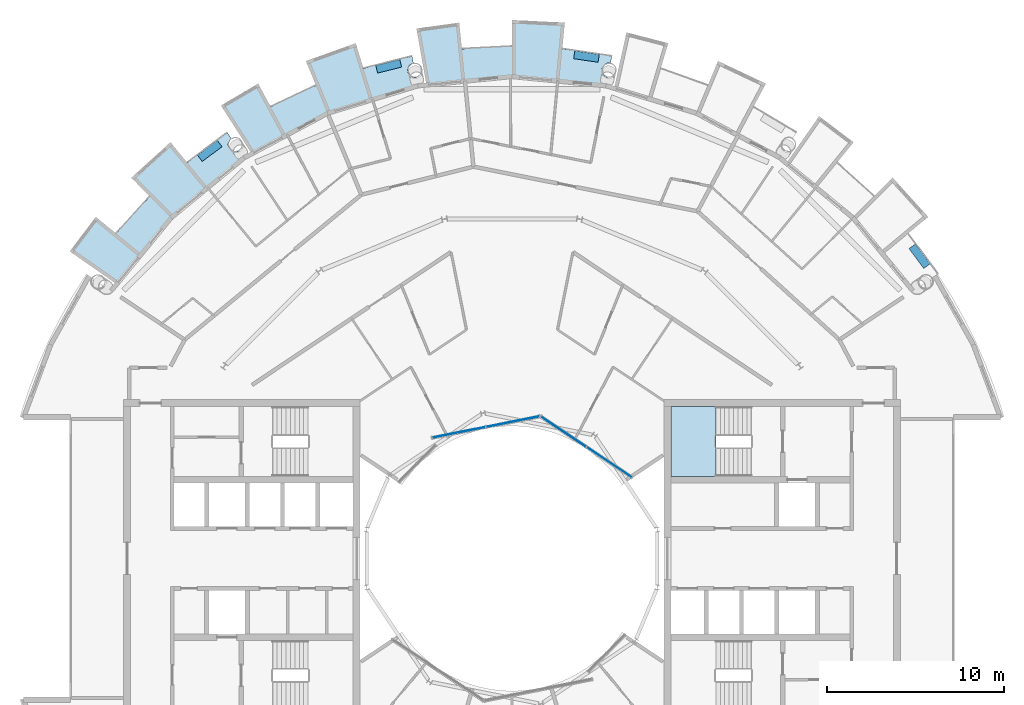
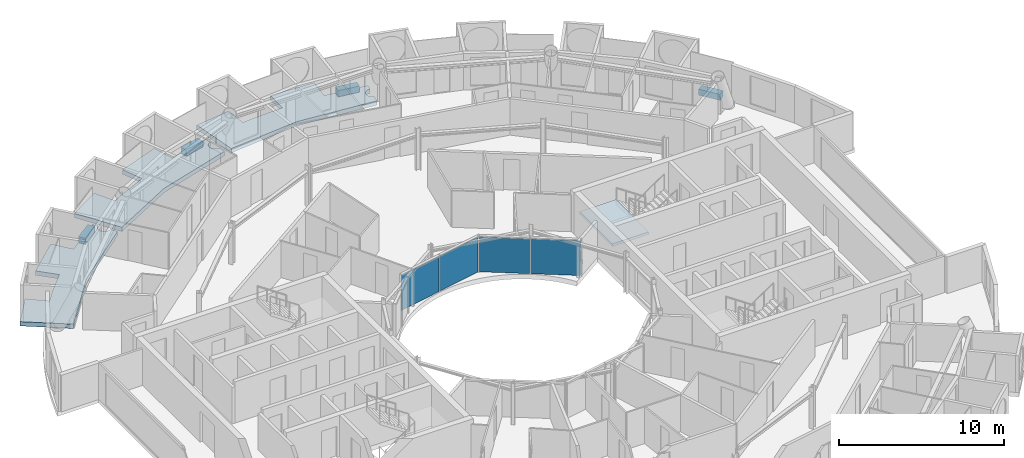
# One storey, part 13 of 28: 8 slabs, 4 plates, 3 elements without a shape of their own.
"""IFC4 building model written with IfcOpenShell, lengths in metres."""

from ifc_helpers import new_model, si_unit, direction, frame, origin, origin_2d, place, context, subcontext, project, spatial, polyline, rectangle, outline, extrude, material, layer, layer_set, type_object, element, aggregate, save


model = new_model("IFC4")

# Units and contexts
model_context = context("Model", 3, precision=1e-05, world=origin(), true_north=direction((0.0, 1.0)))
body_context = subcontext(model_context, "Body", "Model", "MODEL_VIEW")
ifc_project = project(units=[si_unit("LENGTHUNIT", "METRE"), si_unit("AREAUNIT", "SQUARE_METRE"), si_unit("VOLUMEUNIT", "CUBIC_METRE"), si_unit("PLANEANGLEUNIT", "RADIAN"), si_unit("MASSUNIT", "GRAM", prefix="KILO")], contexts=[model_context])

# Site, building, storey
site_placement = place(None, origin())
site = spatial("IfcSite", under=ifc_project, at=site_placement, CompositionType="ELEMENT")
building_placement = place(site_placement, origin())
building = spatial("IfcBuilding", under=site, at=building_placement, Name="Maasbend Ring Residences", CompositionType="ELEMENT")
storey_placement = place(building_placement, frame((0.0, 0.0, 231.0)))
storey = spatial("IfcBuildingStorey", under=building, at=storey_placement, Name="L66", CompositionType="ELEMENT", Elevation=231.0)

# Stair, slab
ifc_material_1 = material(Name="Concrete C40/50", Category="concrete")
stair_type = type_object("IfcStairType", Name="CORE STAIR 18 RISERS", PredefinedType="HALF_TURN_STAIR", material=ifc_material_1)
stair_placement = place(storey_placement, origin())
stair = element("IfcStair", 1, at=stair_placement, inside=storey, type_object=stair_type, Name="L66 Exit stair ST-E1", PredefinedType="HALF_TURN_STAIR")
ifc_material_2 = material(Name="Concrete C40/50", Category="concrete")
ifc_layer_1 = layer(ifc_material_2, 0.199951171875)
ifc_layer_set_1 = layer_set([ifc_layer_1], Name="Concrete C40/50")
slab_type_1 = type_object("IfcSlabType", Name="CORE STAIR LANDING 200", PredefinedType="LANDING", material=ifc_layer_set_1)
slab_1_placement = place(storey_placement, frame((0.0, 0.0, 1.324951171875)))
slab_1 = element("IfcSlab", 2, at=slab_1_placement, type_object=slab_type_1, Name="ST-E1 landing 1", PredefinedType="LANDING", context=body_context, shape_type="SweptSolid", body=[
    extrude(outline(polyline([(11.550048828125, 8.60009765625), (9.0, 8.60009765625), (9.0, 4.64990234375), (11.550048828125, 4.64990234375), (11.550048828125, 8.60009765625)])), origin(), (0.0, 0.0, 1.0), 0.199951171875),
])
aggregate(stair, [slab_1])

# Curtain wall, plates
ifc_material_3 = material(Name="Aluminium and clear glass", Category="aluminium")
ifc_layer_2 = layer(ifc_material_3, 0.179931640625)
ifc_layer_set_2 = layer_set([ifc_layer_2], Name="CW-W")
curtain_wall_type = type_object("IfcCurtainWallType", Name="CW-W", PredefinedType="NOTDEFINED", material=ifc_layer_set_2)
curtain_wall_1_placement = place(storey_placement, origin())
curtain_wall_1 = element("IfcCurtainWall", 3, at=curtain_wall_1_placement, inside=storey, type_object=curtain_wall_type, Name="Well curtain wall N1", PredefinedType="NOTDEFINED")
ifc_material_4 = material(Name="Glass clear laminated", Category="glass")
ifc_layer_3 = layer(ifc_material_4, 0.031982421875)
ifc_layer_set_3 = layer_set([ifc_layer_3], Name="CWP-W")
plate_type = type_object("IfcPlateType", Name="CWP-W", PredefinedType="CURTAIN_PANEL", material=ifc_layer_set_3)
plate_1_placement = place(storey_placement, frame((5.51123046875, 5.44580078125, 0.0), z_axis=(0.0, 0.0, 1.0), x_axis=(-0.831469612303, 0.55557023302, 0.0)))
plate_1 = element("IfcPlate", 4, at=plate_1_placement, type_object=plate_type, Name="Glass panel well face", PredefinedType="CURTAIN_PANEL", context=body_context, shape_type="SweptSolid", body=[
    extrude(rectangle(XDim=3.053955078125, YDim=0.031982421875, at=origin_2d()), origin(), (0.0, 0.0, 1.0), 2.580078125),
])
plate_2_placement = place(storey_placement, frame((2.922119140625, 7.17578125, 0.0), z_axis=(0.0, 0.0, 1.0), x_axis=(-0.831469612303, 0.55557023302, 0.0)))
plate_2 = element("IfcPlate", 5, at=plate_2_placement, type_object=plate_type, Name="Glass panel well face", PredefinedType="CURTAIN_PANEL", context=body_context, shape_type="SweptSolid", body=[
    extrude(rectangle(XDim=3.053955078125, YDim=0.031982421875, at=origin_2d()), origin(), (0.0, 0.0, 1.0), 2.580078125),
])
aggregate(curtain_wall_1, [plate_1, plate_2])

curtain_wall_2_placement = place(storey_placement, origin())
curtain_wall_2 = element("IfcCurtainWall", 6, at=curtain_wall_2_placement, inside=storey, type_object=curtain_wall_type, Name="Well curtain wall N2", PredefinedType="NOTDEFINED")
plate_3_placement = place(storey_placement, frame((0.04638671875, 7.747802734375, 0.0), z_axis=(0.0, 0.0, 1.0), x_axis=(-0.980785280403, -0.195090322016, 0.0)))
plate_3 = element("IfcPlate", 7, at=plate_3_placement, type_object=plate_type, Name="Glass panel well face", PredefinedType="CURTAIN_PANEL", context=body_context, shape_type="SweptSolid", body=[
    extrude(rectangle(XDim=3.053955078125, YDim=0.031982421875, at=origin_2d()), origin(), (0.0, 0.0, 1.0), 2.580078125),
])
plate_4_placement = place(storey_placement, frame((-3.0078125, 7.140380859375, 0.0), z_axis=(0.0, 0.0, 1.0), x_axis=(-0.980785280403, -0.195090322016, 0.0)))
plate_4 = element("IfcPlate", 8, at=plate_4_placement, type_object=plate_type, Name="Glass panel well face", PredefinedType="CURTAIN_PANEL", context=body_context, shape_type="SweptSolid", body=[
    extrude(rectangle(XDim=3.053955078125, YDim=0.031982421875, at=origin_2d()), origin(), (0.0, 0.0, 1.0), 2.580078125),
])
aggregate(curtain_wall_2, [plate_3, plate_4])

# Slabs
ifc_material_5 = material(Name="Planting with climbing greenery")
ifc_layer_4 = layer(ifc_material_5, 0.449951171875)
ifc_layer_set_4 = layer_set([ifc_layer_4], Name="PLANTER-LG")
slab_type_2 = type_object("IfcSlabType", Name="PLANTER-LG", PredefinedType="USERDEFINED", material=ifc_layer_set_4)
slab_2_placement = place(storey_placement, frame((0.0, 0.0, -0.030029296875)))
element("IfcSlab", 9, at=slab_2_placement, inside=storey, type_object=slab_type_2, Name="Planter with climbing greenery 1", ObjectType="PLANTER", PredefinedType="USERDEFINED", context=body_context, shape_type="SweptSolid", body=[
    extrude(outline(polyline([(23.681884765625, 16.69189453125), (22.847900390625, 17.81689453125), (22.487060546875, 17.549072265625), (23.321044921875, 16.424072265625), (23.681884765625, 16.69189453125)])), origin(), (0.0, 0.0, 1.0), 0.449951171875),
])
slab_3_placement = place(storey_placement, frame((0.0, 0.0, -0.030029296875)))
element("IfcSlab", 10, at=slab_3_placement, inside=storey, type_object=slab_type_2, Name="Planter with climbing greenery 3", ObjectType="PLANTER", PredefinedType="USERDEFINED", context=body_context, shape_type="SweptSolid", body=[
    extrude(outline(polyline([(4.94189453125, 28.549072265625), (3.55810546875, 28.75390625), (3.491943359375, 28.30908203125), (4.8759765625, 28.10400390625), (4.94189453125, 28.549072265625)])), origin(), (0.0, 0.0, 1.0), 0.449951171875),
])
slab_4_placement = place(storey_placement, frame((0.0, 0.0, -0.030029296875)))
element("IfcSlab", 11, at=slab_4_placement, inside=storey, type_object=slab_type_2, Name="Planter with climbing greenery 4", ObjectType="PLANTER", PredefinedType="USERDEFINED", context=body_context, shape_type="SweptSolid", body=[
    extrude(outline(polyline([(-6.35888671875, 28.26708984375), (-7.717041015625, 27.927001953125), (-7.60791015625, 27.489990234375), (-6.25, 27.8310546875), (-6.35888671875, 28.26708984375)])), origin(), (0.0, 0.0, 1.0), 0.449951171875),
])
slab_5_placement = place(storey_placement, frame((0.0, 0.0, -0.030029296875)))
element("IfcSlab", 12, at=slab_5_placement, inside=storey, type_object=slab_type_2, Name="Planter with climbing greenery 5", ObjectType="PLANTER", PredefinedType="USERDEFINED", context=body_context, shape_type="SweptSolid", body=[
    extrude(outline(polyline([(-16.69189453125, 23.681884765625), (-17.81689453125, 22.847900390625), (-17.549072265625, 22.487060546875), (-16.424072265625, 23.321044921875), (-16.69189453125, 23.681884765625)])), origin(), (0.0, 0.0, 1.0), 0.449951171875),
])
ifc_material_6 = material(Name="Concrete C40/50", Category="concrete")
ifc_layer_5 = layer(ifc_material_6, 0.199951171875)
ifc_layer_set_5 = layer_set([ifc_layer_5], Name="Concrete C40/50")
slab_type_3 = type_object("IfcSlabType", Name="SL-LOGGIA", PredefinedType="FLOOR", material=ifc_layer_set_5)
slab_6_placement = place(storey_placement, frame((0.0, 0.0, -0.35009765625)))
element("IfcSlab", 13, at=slab_6_placement, inside=storey, type_object=slab_type_3, Name="Loggia floor 2", PredefinedType="FLOOR", context=body_context, shape_type="SweptSolid", body=[
    extrude(outline(polyline([(-13.6708984375, 25.575927734375), (-13.6708984375, 25.575927734375), (-13.6708984375, 25.575927734375), (-13.6708984375, 25.575927734375), (-13.6708984375, 25.575927734375), (-13.6708984375, 25.575927734375), (-13.6708984375, 25.575927734375), (-13.669921875, 25.575927734375), (-13.669921875, 25.575927734375), (-13.669921875, 25.575927734375), (-13.669921875, 25.575927734375), (-13.669921875, 25.575927734375), (-13.669921875, 25.575927734375), (-13.669921875, 25.575927734375), (-13.669921875, 25.575927734375), (-13.669921875, 25.575927734375), (-13.669921875, 25.575927734375), (-12.825927734375, 26.009033203125), (-12.825927734375, 26.009033203125), (-11.968994140625, 26.4150390625), (-11.968994140625, 26.4150390625), (-11.097900390625, 26.7919921875), (-11.097900390625, 26.7919921875), (-11.097900390625, 26.7919921875), (-11.097900390625, 26.7919921875), (-11.097900390625, 26.7919921875), (-11.097900390625, 26.7919921875), (-11.097900390625, 26.7919921875), (-11.097900390625, 26.79296875), (-11.097900390625, 26.79296875), (-11.097900390625, 26.79296875), (-11.097900390625, 26.79296875), (-11.097900390625, 26.79296875), (-11.097900390625, 26.79296875), (-11.097900390625, 26.79296875), (-11.097900390625, 26.79296875), (-11.097900390625, 26.79296875), (-11.097900390625, 26.79296875), (-11.672119140625, 28.177978515625), (-11.672119140625, 28.177978515625), (-11.672119140625, 28.177978515625), (-8.85400390625, 29.18701171875), (-8.85400390625, 29.18701171875), (-8.85400390625, 29.18701171875), (-8.41796875, 27.751953125), (-8.41796875, 27.751953125), (-8.41796875, 27.751953125), (-8.41796875, 27.751953125), (-8.41796875, 27.751953125), (-8.41796875, 27.751953125), (-8.41796875, 27.751953125), (-8.41796875, 27.7509765625), (-8.41796875, 27.7509765625), (-8.41796875, 27.7509765625), (-8.41796875, 27.7509765625), (-8.41796875, 27.7509765625), (-8.41796875, 27.7509765625), (-8.41796875, 27.7509765625), (-8.41796875, 27.7509765625), (-8.41796875, 27.7509765625), (-8.41796875, 27.7509765625), (-7.506103515625, 28.011962890625), (-7.506103515625, 28.011962890625), (-6.5849609375, 28.241943359375), (-6.5849609375, 28.241943359375), (-5.657958984375, 28.443115234375), (-5.657958984375, 28.443115234375), (-5.657958984375, 28.443115234375), (-5.5810546875, 28.056884765625), (-5.591064453125, 28.054931640625), (-5.60009765625, 28.052001953125), (-5.610107421875, 28.050048828125), (-5.6201171875, 28.047119140625), (-5.62890625, 28.0439453125), (-5.637939453125, 28.041015625), (-5.64794921875, 28.037109375), (-5.656982421875, 28.033935546875), (-5.666015625, 28.030029296875), (-5.675048828125, 28.02587890625), (-5.68408203125, 28.02099609375), (-5.693115234375, 28.01708984375), (-5.701904296875, 28.011962890625), (-5.7099609375, 28.007080078125), (-5.718994140625, 28.001953125), (-5.72705078125, 27.99609375), (-5.736083984375, 27.989990234375), (-5.743896484375, 27.985107421875), (-5.751953125, 27.97900390625), (-5.759033203125, 27.971923828125), (-5.76708984375, 27.966064453125), (-5.77392578125, 27.958984375), (-5.781982421875, 27.952880859375), (-5.7890625, 27.946044921875), (-5.7958984375, 27.93798828125), (-5.802978515625, 27.930908203125), (-5.80908203125, 27.924072265625), (-5.81591796875, 27.916015625), (-5.822021484375, 27.907958984375), (-5.827880859375, 27.89990234375), (-5.833984375, 27.89208984375), (-5.839111328125, 27.884033203125), (-5.844970703125, 27.8759765625), (-5.85009765625, 27.866943359375), (-5.85498046875, 27.85791015625), (-5.860107421875, 27.85009765625), (-5.864990234375, 27.841064453125), (-5.868896484375, 27.83203125), (-5.873046875, 27.822998046875), (-5.876953125, 27.81396484375), (-5.881103515625, 27.803955078125), (-5.884033203125, 27.794921875), (-5.886962890625, 27.785888671875), (-5.889892578125, 27.77587890625), (-5.89306640625, 27.76708984375), (-5.89599609375, 27.757080078125), (-5.89794921875, 27.7470703125), (-5.89990234375, 27.737060546875), (-5.902099609375, 27.72802734375), (-5.904052734375, 27.718017578125), (-5.905029296875, 27.7080078125), (-5.906005859375, 27.697998046875), (-5.906982421875, 27.68798828125), (-5.907958984375, 27.677978515625), (-5.907958984375, 27.66796875), (-5.907958984375, 27.657958984375), (-5.907958984375, 27.64794921875), (-5.907958984375, 27.637939453125), (-5.906982421875, 27.6279296875), (-5.906005859375, 27.617919921875), (-5.905029296875, 27.60791015625), (-5.904052734375, 27.597900390625), (-5.902099609375, 27.589111328125), (-5.89990234375, 27.5791015625), (-5.89794921875, 27.569091796875), (-5.89599609375, 27.55908203125), (-5.89306640625, 27.550048828125), (-5.889892578125, 27.5400390625), (-5.886962890625, 27.531005859375), (-5.884033203125, 27.52099609375), (-5.881103515625, 27.511962890625), (-5.876953125, 27.5029296875), (-5.873046875, 27.492919921875), (-5.868896484375, 27.48388671875), (-5.864990234375, 27.47509765625), (-5.860107421875, 27.466064453125), (-5.85498046875, 27.4580078125), (-5.85009765625, 27.448974609375), (-5.844970703125, 27.44091796875), (-5.839111328125, 27.431884765625), (-5.833984375, 27.424072265625), (-5.827880859375, 27.416015625), (-5.822021484375, 27.407958984375), (-5.81591796875, 27.39990234375), (-5.80908203125, 27.39306640625), (-5.802978515625, 27.385009765625), (-5.7958984375, 27.3779296875), (-5.7890625, 27.37109375), (-5.781982421875, 27.364013671875), (-5.77392578125, 27.35693359375), (-5.76708984375, 27.35009765625), (-5.759033203125, 27.343994140625), (-5.751953125, 27.337890625), (-5.743896484375, 27.33203125), (-5.736083984375, 27.325927734375), (-5.72705078125, 27.320068359375), (-5.718994140625, 27.31494140625), (-5.7099609375, 27.30908203125), (-5.701904296875, 27.303955078125), (-5.693115234375, 27.300048828125), (-5.68408203125, 27.294921875), (-5.675048828125, 27.291015625), (-5.666015625, 27.285888671875), (-5.656982421875, 27.282958984375), (-5.64794921875, 27.279052734375), (-5.637939453125, 27.27490234375), (-5.62890625, 27.27197265625), (-5.6201171875, 27.26904296875), (-5.610107421875, 27.26611328125), (-5.60009765625, 27.263916015625), (-5.591064453125, 27.260986328125), (-5.5810546875, 27.259033203125), (-5.571044921875, 27.258056640625), (-5.56103515625, 27.256103515625), (-5.551025390625, 27.2548828125), (-5.541015625, 27.25390625), (-5.531005859375, 27.2529296875), (-5.52099609375, 27.251953125), (-5.510986328125, 27.251953125), (-5.501953125, 27.251953125), (-5.491943359375, 27.251953125), (-5.48193359375, 27.251953125), (-5.471923828125, 27.2529296875), (-5.4619140625, 27.25390625), (-5.451904296875, 27.2548828125), (-5.44189453125, 27.256103515625), (-5.431884765625, 27.258056640625), (-5.422119140625, 27.259033203125), (-5.325927734375, 26.77490234375), (-5.325927734375, 26.77490234375), (-5.325927734375, 26.77490234375), (-7.886962890625, 25.9990234375), (-10.447021484375, 25.221923828125), (-10.447021484375, 25.221923828125), (-10.447021484375, 25.221923828125), (-12.806884765625, 23.9609375), (-14.73291015625, 22.930908203125), (-14.73291015625, 22.930908203125), (-14.73291015625, 22.930908203125), (-16.487060546875, 25.659912109375), (-16.487060546875, 25.659912109375), (-16.487060546875, 25.659912109375), (-14.3779296875, 26.89892578125), (-14.3779296875, 26.89892578125), (-14.3779296875, 26.89892578125), (-13.6708984375, 25.575927734375)])), origin(), (0.0, 0.0, 1.0), 0.320068359375),
])
slab_7_placement = place(storey_placement, frame((0.0, 0.0, -0.35009765625)))
element("IfcSlab", 14, at=slab_7_placement, inside=storey, type_object=slab_type_3, Name="Loggia floor 3", PredefinedType="FLOOR", context=body_context, shape_type="SweptSolid", body=[
    extrude(outline(polyline([(-2.843017578125, 28.861083984375), (-2.843017578125, 28.861083984375), (-2.843017578125, 28.861083984375), (-2.843017578125, 28.861083984375), (-2.842041015625, 28.861083984375), (-2.842041015625, 28.861083984375), (-2.842041015625, 28.861083984375), (-2.842041015625, 28.861083984375), (-2.842041015625, 28.861083984375), (-2.842041015625, 28.860107421875), (-2.842041015625, 28.860107421875), (-2.842041015625, 28.860107421875), (-2.842041015625, 28.860107421875), (-2.842041015625, 28.860107421875), (-2.842041015625, 28.860107421875), (-2.842041015625, 28.860107421875), (-2.842041015625, 28.860107421875), (-1.89697265625, 28.93798828125), (-1.89697265625, 28.93798828125), (-0.948974609375, 28.98388671875), (-0.948974609375, 28.98388671875), (0.0, 29.0), (0.0, 29.0), (0.0, 29.0), (0.0, 29.0), (0.0, 29.0), (0.0, 29.0), (0.0, 29.0), (0.0, 29.0), (0.0, 29.0), (0.0, 29.0), (0.0, 29.0), (0.0, 29.0), (0.0, 29.0), (0.0, 29.0), (0.0, 29.0), (0.0, 29.0), (0.0, 29.0), (0.0, 30.5), (0.0, 30.5), (0.0, 30.5), (2.989990234375, 30.35302734375), (2.989990234375, 30.35302734375), (2.989990234375, 30.35302734375), (2.843017578125, 28.861083984375), (2.843017578125, 28.861083984375), (2.843017578125, 28.861083984375), (2.843017578125, 28.861083984375), (2.843017578125, 28.861083984375), (2.843017578125, 28.861083984375), (2.843017578125, 28.861083984375), (2.843017578125, 28.861083984375), (2.843017578125, 28.860107421875), (2.843017578125, 28.860107421875), (2.843017578125, 28.860107421875), (2.843017578125, 28.860107421875), (2.843017578125, 28.860107421875), (2.843017578125, 28.860107421875), (2.843017578125, 28.860107421875), (2.843017578125, 28.860107421875), (2.843017578125, 28.860107421875), (3.784912109375, 28.751953125), (3.784912109375, 28.751953125), (4.72412109375, 28.613037109375), (4.72412109375, 28.613037109375), (5.657958984375, 28.443115234375), (5.657958984375, 28.443115234375), (5.657958984375, 28.443115234375), (5.5810546875, 28.056884765625), (5.5810546875, 28.056884765625), (5.571044921875, 28.05908203125), (5.56103515625, 28.06005859375), (5.551025390625, 28.06201171875), (5.541015625, 28.06298828125), (5.531005859375, 28.06298828125), (5.52099609375, 28.06396484375), (5.510986328125, 28.06396484375), (5.501953125, 28.06494140625), (5.491943359375, 28.06396484375), (5.48193359375, 28.06396484375), (5.471923828125, 28.06298828125), (5.4619140625, 28.06298828125), (5.451904296875, 28.06201171875), (5.44189453125, 28.06005859375), (5.431884765625, 28.05908203125), (5.422119140625, 28.056884765625), (5.412109375, 28.054931640625), (5.403076171875, 28.052001953125), (5.39306640625, 28.050048828125), (5.383056640625, 28.047119140625), (5.3740234375, 28.0439453125), (5.364990234375, 28.041015625), (5.35498046875, 28.037109375), (5.345947265625, 28.033935546875), (5.3369140625, 28.030029296875), (5.327880859375, 28.02587890625), (5.319091796875, 28.02099609375), (5.31005859375, 28.01708984375), (5.301025390625, 28.011962890625), (5.29296875, 28.007080078125), (5.283935546875, 28.001953125), (5.27587890625, 27.99609375), (5.26708984375, 27.989990234375), (5.259033203125, 27.985107421875), (5.2509765625, 27.97900390625), (5.243896484375, 27.971923828125), (5.236083984375, 27.966064453125), (5.22900390625, 27.958984375), (5.220947265625, 27.952880859375), (5.214111328125, 27.946044921875), (5.20703125, 27.93798828125), (5.199951171875, 27.930908203125), (5.194091796875, 27.924072265625), (5.18701171875, 27.916015625), (5.180908203125, 27.907958984375), (5.175048828125, 27.89990234375), (5.1689453125, 27.89208984375), (5.1640625, 27.884033203125), (5.157958984375, 27.8759765625), (5.153076171875, 27.866943359375), (5.14794921875, 27.85791015625), (5.14306640625, 27.85009765625), (5.137939453125, 27.841064453125), (5.134033203125, 27.83203125), (5.1298828125, 27.822998046875), (5.1259765625, 27.81396484375), (5.1220703125, 27.803955078125), (5.118896484375, 27.794921875), (5.115966796875, 27.785888671875), (5.113037109375, 27.77587890625), (5.110107421875, 27.76708984375), (5.10693359375, 27.757080078125), (5.10498046875, 27.7470703125), (5.10302734375, 27.737060546875), (5.10107421875, 27.72802734375), (5.09912109375, 27.718017578125), (5.097900390625, 27.7080078125), (5.096923828125, 27.697998046875), (5.095947265625, 27.68798828125), (5.094970703125, 27.677978515625), (5.094970703125, 27.66796875), (5.094970703125, 27.657958984375), (5.094970703125, 27.64794921875), (5.094970703125, 27.637939453125), (5.095947265625, 27.6279296875), (5.096923828125, 27.617919921875), (5.097900390625, 27.60791015625), (5.09912109375, 27.597900390625), (5.10107421875, 27.589111328125), (5.10302734375, 27.5791015625), (5.10498046875, 27.569091796875), (5.10693359375, 27.55908203125), (5.110107421875, 27.550048828125), (5.113037109375, 27.5400390625), (5.115966796875, 27.531005859375), (5.118896484375, 27.52099609375), (5.1220703125, 27.511962890625), (5.1259765625, 27.5029296875), (5.1298828125, 27.492919921875), (5.134033203125, 27.48388671875), (5.137939453125, 27.47509765625), (5.14306640625, 27.466064453125), (5.14794921875, 27.4580078125), (5.153076171875, 27.448974609375), (5.157958984375, 27.44091796875), (5.1640625, 27.431884765625), (5.1689453125, 27.424072265625), (5.175048828125, 27.416015625), (5.180908203125, 27.407958984375), (5.18701171875, 27.39990234375), (5.194091796875, 27.39306640625), (5.199951171875, 27.385009765625), (5.20703125, 27.3779296875), (5.214111328125, 27.37109375), (5.220947265625, 27.364013671875), (5.22900390625, 27.35693359375), (5.236083984375, 27.35009765625), (5.243896484375, 27.343994140625), (5.2509765625, 27.337890625), (5.259033203125, 27.33203125), (5.26708984375, 27.325927734375), (5.27587890625, 27.320068359375), (5.283935546875, 27.31494140625), (5.29296875, 27.30908203125), (5.301025390625, 27.303955078125), (5.31005859375, 27.300048828125), (5.319091796875, 27.294921875), (5.327880859375, 27.291015625), (5.3369140625, 27.285888671875), (5.345947265625, 27.282958984375), (5.35498046875, 27.279052734375), (5.364990234375, 27.27490234375), (5.3740234375, 27.27197265625), (5.383056640625, 27.26904296875), (5.39306640625, 27.26611328125), (5.403076171875, 27.263916015625), (5.412109375, 27.260986328125), (5.422119140625, 27.259033203125), (5.422119140625, 27.259033203125), (5.325927734375, 26.77490234375), (5.325927734375, 26.77490234375), (5.325927734375, 26.77490234375), (2.6630859375, 27.0380859375), (0.0, 27.300048828125), (0.0, 27.300048828125), (0.0, 27.300048828125), (-2.6630859375, 27.0380859375), (-4.8359375, 26.823974609375), (-4.8359375, 26.823974609375), (-4.8359375, 26.823974609375), (-5.412109375, 30.01611328125), (-5.412109375, 30.01611328125), (-5.412109375, 30.01611328125), (-2.989990234375, 30.35302734375), (-2.989990234375, 30.35302734375), (-2.989990234375, 30.35302734375), (-2.843017578125, 28.861083984375)])), origin(), (0.0, 0.0, 1.0), 0.320068359375),
])
slab_8_placement = place(storey_placement, frame((0.0, 0.0, -0.35009765625)))
element("IfcSlab", 15, at=slab_8_placement, inside=storey, type_object=slab_type_3, Name="Loggia floor 5", PredefinedType="FLOOR", context=body_context, shape_type="SweptSolid", body=[
    extrude(outline(polyline([(-22.41796875, 18.39794921875), (-22.41796875, 18.39794921875), (-22.41796875, 18.39794921875), (-22.41796875, 18.39794921875), (-22.41796875, 18.39794921875), (-22.4169921875, 18.39794921875), (-22.4169921875, 18.39794921875), (-22.4169921875, 18.39794921875), (-22.4169921875, 18.39794921875), (-22.4169921875, 18.39794921875), (-22.4169921875, 18.39794921875), (-22.4169921875, 18.39794921875), (-22.4169921875, 18.39794921875), (-22.4169921875, 18.39794921875), (-22.4169921875, 18.39794921875), (-22.4169921875, 18.39794921875), (-22.4169921875, 18.39794921875), (-21.802978515625, 19.12109375), (-21.802978515625, 19.12109375), (-21.166015625, 19.823974609375), (-21.166015625, 19.823974609375), (-20.506103515625, 20.506103515625), (-20.506103515625, 20.506103515625), (-20.506103515625, 20.506103515625), (-20.506103515625, 20.506103515625), (-20.506103515625, 20.506103515625), (-20.506103515625, 20.506103515625), (-20.506103515625, 20.506103515625), (-20.506103515625, 20.506103515625), (-20.506103515625, 20.506103515625), (-20.506103515625, 20.506103515625), (-20.506103515625, 20.506103515625), (-20.506103515625, 20.506103515625), (-20.506103515625, 20.506103515625), (-20.506103515625, 20.506103515625), (-20.506103515625, 20.506103515625), (-20.506103515625, 20.506103515625), (-20.506103515625, 20.506103515625), (-21.56689453125, 21.56689453125), (-21.56689453125, 21.56689453125), (-21.56689453125, 21.56689453125), (-19.34912109375, 23.576904296875), (-19.34912109375, 23.576904296875), (-19.34912109375, 23.576904296875), (-18.39794921875, 22.41796875), (-18.39794921875, 22.41796875), (-18.39794921875, 22.41796875), (-18.39794921875, 22.41796875), (-18.39794921875, 22.41796875), (-18.39794921875, 22.41796875), (-18.39697265625, 22.41796875), (-18.39697265625, 22.41796875), (-18.39697265625, 22.41796875), (-18.39697265625, 22.41796875), (-18.39697265625, 22.41796875), (-18.39697265625, 22.41796875), (-18.39697265625, 22.41796875), (-18.39697265625, 22.41796875), (-18.39697265625, 22.41796875), (-18.39697265625, 22.41796875), (-18.39697265625, 22.41796875), (-17.654052734375, 23.007080078125), (-17.654052734375, 23.007080078125), (-16.89208984375, 23.572998046875), (-16.89208984375, 23.572998046875), (-16.112060546875, 24.113037109375), (-16.112060546875, 24.113037109375), (-16.112060546875, 24.113037109375), (-15.89306640625, 23.784912109375), (-15.89306640625, 23.784912109375), (-15.90087890625, 23.780029296875), (-15.908935546875, 23.77392578125), (-15.9169921875, 23.76806640625), (-15.925048828125, 23.761962890625), (-15.93310546875, 23.7548828125), (-15.93994140625, 23.7490234375), (-15.947021484375, 23.741943359375), (-15.955078125, 23.735107421875), (-15.9619140625, 23.72802734375), (-15.968017578125, 23.719970703125), (-15.97509765625, 23.712890625), (-15.98095703125, 23.705078125), (-15.988037109375, 23.697021484375), (-15.993896484375, 23.68994140625), (-15.9990234375, 23.680908203125), (-16.0048828125, 23.673095703125), (-16.010986328125, 23.6650390625), (-16.01611328125, 23.656005859375), (-16.02099609375, 23.64794921875), (-16.02587890625, 23.638916015625), (-16.030029296875, 23.6298828125), (-16.034912109375, 23.62109375), (-16.0390625, 23.612060546875), (-16.04296875, 23.60302734375), (-16.0458984375, 23.593994140625), (-16.050048828125, 23.583984375), (-16.052978515625, 23.574951171875), (-16.055908203125, 23.56494140625), (-16.05908203125, 23.555908203125), (-16.06103515625, 23.5458984375), (-16.06396484375, 23.535888671875), (-16.06591796875, 23.527099609375), (-16.068115234375, 23.51708984375), (-16.069091796875, 23.507080078125), (-16.071044921875, 23.4970703125), (-16.072021484375, 23.487060546875), (-16.072021484375, 23.47705078125), (-16.072998046875, 23.467041015625), (-16.072998046875, 23.45703125), (-16.073974609375, 23.447021484375), (-16.072998046875, 23.43701171875), (-16.072998046875, 23.427001953125), (-16.072021484375, 23.4169921875), (-16.072021484375, 23.407958984375), (-16.071044921875, 23.39794921875), (-16.069091796875, 23.387939453125), (-16.068115234375, 23.3779296875), (-16.06591796875, 23.367919921875), (-16.06396484375, 23.35791015625), (-16.06103515625, 23.34912109375), (-16.05908203125, 23.339111328125), (-16.055908203125, 23.3291015625), (-16.052978515625, 23.320068359375), (-16.050048828125, 23.31005859375), (-16.0458984375, 23.301025390625), (-16.04296875, 23.2919921875), (-16.0390625, 23.282958984375), (-16.034912109375, 23.27392578125), (-16.030029296875, 23.264892578125), (-16.02587890625, 23.256103515625), (-16.02099609375, 23.2470703125), (-16.01611328125, 23.238037109375), (-16.010986328125, 23.22998046875), (-16.0048828125, 23.221923828125), (-15.9990234375, 23.212890625), (-15.993896484375, 23.205078125), (-15.988037109375, 23.197021484375), (-15.98095703125, 23.18994140625), (-15.97509765625, 23.181884765625), (-15.968017578125, 23.174072265625), (-15.9619140625, 23.1669921875), (-15.955078125, 23.159912109375), (-15.947021484375, 23.153076171875), (-15.93994140625, 23.14599609375), (-15.93310546875, 23.139892578125), (-15.925048828125, 23.133056640625), (-15.9169921875, 23.126953125), (-15.908935546875, 23.12109375), (-15.90087890625, 23.114990234375), (-15.89306640625, 23.10888671875), (-15.885009765625, 23.10400390625), (-15.8759765625, 23.09912109375), (-15.866943359375, 23.093994140625), (-15.85888671875, 23.089111328125), (-15.85009765625, 23.083984375), (-15.841064453125, 23.080078125), (-15.83203125, 23.075927734375), (-15.822998046875, 23.072021484375), (-15.81298828125, 23.068115234375), (-15.803955078125, 23.06494140625), (-15.794921875, 23.06103515625), (-15.784912109375, 23.05810546875), (-15.77587890625, 23.055908203125), (-15.76611328125, 23.052978515625), (-15.756103515625, 23.051025390625), (-15.74609375, 23.049072265625), (-15.737060546875, 23.047119140625), (-15.72705078125, 23.044921875), (-15.717041015625, 23.0439453125), (-15.70703125, 23.04296875), (-15.697021484375, 23.0419921875), (-15.68701171875, 23.041015625), (-15.677001953125, 23.041015625), (-15.6669921875, 23.041015625), (-15.656982421875, 23.041015625), (-15.64697265625, 23.041015625), (-15.636962890625, 23.0419921875), (-15.626953125, 23.04296875), (-15.616943359375, 23.0439453125), (-15.60693359375, 23.044921875), (-15.597900390625, 23.047119140625), (-15.587890625, 23.049072265625), (-15.577880859375, 23.051025390625), (-15.568115234375, 23.052978515625), (-15.55908203125, 23.055908203125), (-15.549072265625, 23.05810546875), (-15.5400390625, 23.06103515625), (-15.530029296875, 23.06494140625), (-15.52099609375, 23.068115234375), (-15.511962890625, 23.072021484375), (-15.501953125, 23.075927734375), (-15.492919921875, 23.080078125), (-15.48388671875, 23.083984375), (-15.47509765625, 23.089111328125), (-15.467041015625, 23.093994140625), (-15.4580078125, 23.09912109375), (-15.449951171875, 23.10400390625), (-15.44091796875, 23.10888671875), (-15.44091796875, 23.10888671875), (-15.1669921875, 22.698974609375), (-15.1669921875, 22.698974609375), (-15.1669921875, 22.698974609375), (-17.236083984375, 21.001953125), (-19.303955078125, 19.303955078125), (-19.303955078125, 19.303955078125), (-19.303955078125, 19.303955078125), (-21.001953125, 17.236083984375), (-22.386962890625, 15.547119140625), (-22.386962890625, 15.547119140625), (-22.386962890625, 15.547119140625), (-25.051025390625, 17.39794921875), (-25.051025390625, 17.39794921875), (-25.051025390625, 17.39794921875), (-23.576904296875, 19.34912109375), (-23.576904296875, 19.34912109375), (-23.576904296875, 19.34912109375), (-22.41796875, 18.39794921875)])), origin(), (0.0, 0.0, 1.0), 0.320068359375),
])

save(model, "model.ifc")
